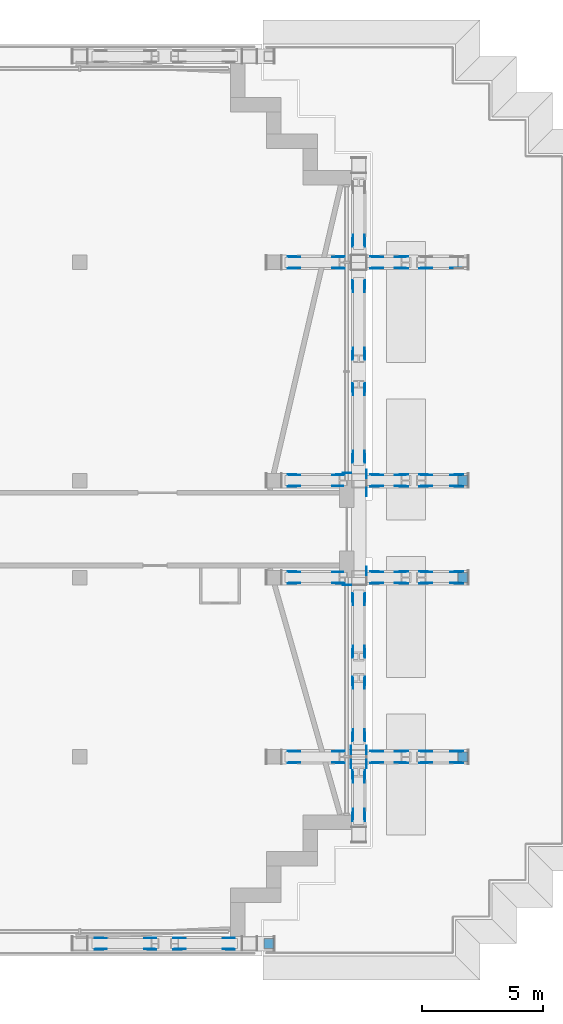
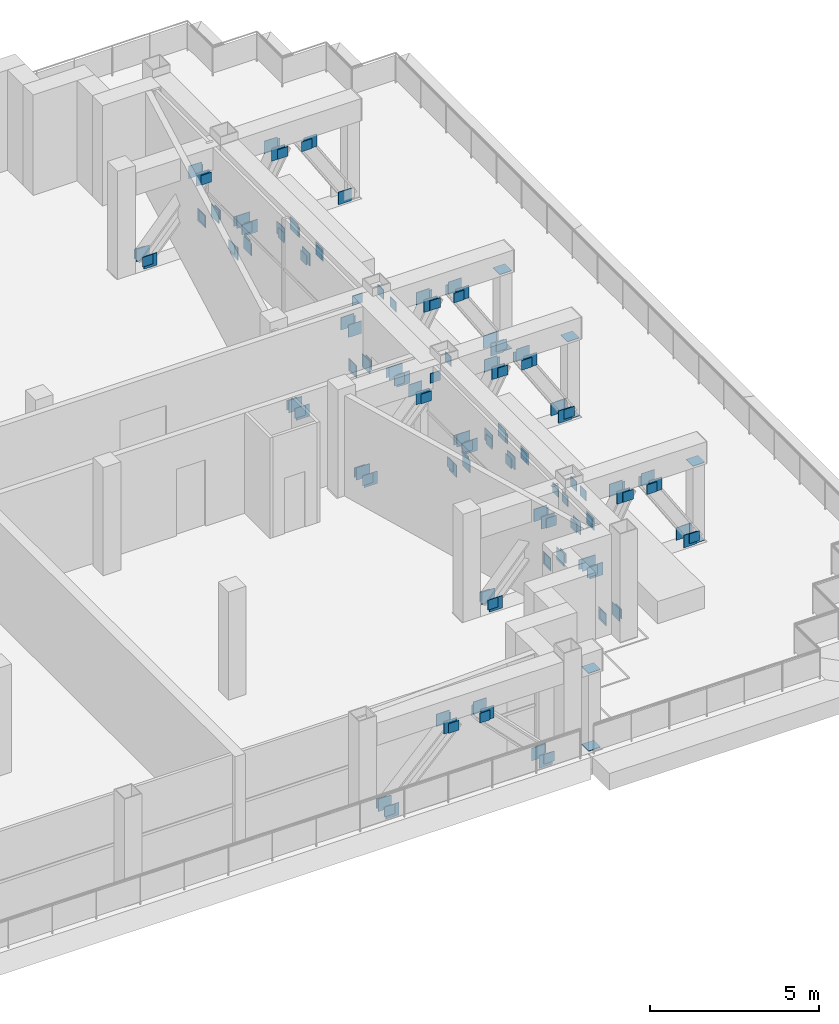
# One storey, part 15 of 21: 166 discrete accessories.
"""IFC4 building model written with IfcOpenShell, lengths in metres."""

from ifc_helpers import new_model, si_unit, direction, frame, origin, origin_2d, place, context, subcontext, project, spatial, rectangle, extrude, element, save


model = new_model("IFC4")

# Units and contexts
model_context = context("Model", 3, precision=1e-05, world=origin(), true_north=direction((0.0, 1.0)))
body_context = subcontext(model_context, "Body", "Model", "MODEL_VIEW")
ifc_project = project(units=[si_unit("LENGTHUNIT", "METRE"), si_unit("AREAUNIT", "SQUARE_METRE"), si_unit("VOLUMEUNIT", "CUBIC_METRE"), si_unit("PLANEANGLEUNIT", "RADIAN"), si_unit("MASSUNIT", "GRAM", prefix="KILO")], contexts=[model_context])

# Site, building, storey
site_placement = place(None, origin())
site = spatial("IfcSite", under=ifc_project, at=site_placement, CompositionType="ELEMENT")
building_placement = place(site_placement, origin())
building = spatial("IfcBuilding", under=site, at=building_placement, Name="Vidyagriha Tower", CompositionType="ELEMENT")
storey_placement = place(building_placement, frame((0.0, 0.0, 203.699951171875)))
storey = spatial("IfcBuildingStorey", under=building, at=storey_placement, Name="L52", CompositionType="ELEMENT", Elevation=203.699951171875)

# Discrete accessories
for number, where, name in (
    (1, (18.88330078125, -16.878173828125, 0.0), "Truss gusset plate ASTM A572 Grade 50 20mm"),
    (2, (18.88330078125, -17.32177734375, 0.0), "Truss gusset plate ASTM A572 Grade 50 20mm"),
    (3, (20.86669921875, -16.878173828125, 2.3701171875), "Truss gusset plate ASTM A572 Grade 50 20mm"),
    (4, (20.86669921875, -17.32177734375, 2.3701171875), "Truss gusset plate ASTM A572 Grade 50 20mm"),
    (5, (22.13330078125, -16.878173828125, 2.3701171875), "Truss gusset plate ASTM A572 Grade 50 20mm"),
    (6, (22.13330078125, -17.32177734375, 2.3701171875), "Truss gusset plate ASTM A572 Grade 50 20mm"),
    (7, (24.11669921875, -16.878173828125, 0.0), "Truss gusset plate ASTM A572 Grade 50 20mm"),
    (8, (24.11669921875, -17.32177734375, 0.0), "Truss gusset plate ASTM A572 Grade 50 20mm"),
    (9, (26.86181640625, -9.17822265625, 0.0), "Truss gusset plate ASTM A572 Grade 50 20mm"),
    (10, (26.86181640625, -9.621826171875, 0.0), "Truss gusset plate ASTM A572 Grade 50 20mm"),
    (11, (28.63818359375, -9.17822265625, 2.3701171875), "Truss gusset plate ASTM A572 Grade 50 20mm"),
    (12, (28.63818359375, -9.621826171875, 2.3701171875), "Truss gusset plate ASTM A572 Grade 50 20mm"),
    (13, (30.283203125, -9.17822265625, 0.0), "Truss gusset plate ASTM A572 Grade 50 20mm"),
    (14, (30.283203125, -9.621826171875, 0.0), "Truss gusset plate ASTM A572 Grade 50 20mm"),
    (15, (31.216796875, -9.17822265625, 2.3701171875), "Truss gusset plate ASTM A572 Grade 50 20mm"),
    (16, (31.216796875, -9.621826171875, 2.3701171875), "Truss gusset plate ASTM A572 Grade 50 20mm"),
    (17, (32.3046875, -9.17822265625, 2.3701171875), "Truss gusset plate ASTM A572 Grade 50 20mm"),
    (18, (32.3046875, -9.621826171875, 2.3701171875), "Truss gusset plate ASTM A572 Grade 50 20mm"),
    (19, (33.4951171875, -9.17822265625, 0.0), "Truss gusset plate ASTM A572 Grade 50 20mm"),
    (20, (33.4951171875, -9.621826171875, 0.0), "Truss gusset plate ASTM A572 Grade 50 20mm"),
    (21, (26.86181640625, -1.778076171875, 0.0), "Truss gusset plate ASTM A572 Grade 50 20mm"),
    (22, (26.86181640625, -2.221923828125, 0.0), "Truss gusset plate ASTM A572 Grade 50 20mm"),
    (23, (28.63818359375, -1.778076171875, 2.3701171875), "Truss gusset plate ASTM A572 Grade 50 20mm"),
    (24, (28.63818359375, -2.221923828125, 2.3701171875), "Truss gusset plate ASTM A572 Grade 50 20mm"),
    (25, (30.283203125, -1.778076171875, 0.0), "Truss gusset plate ASTM A572 Grade 50 20mm"),
    (26, (30.283203125, -2.221923828125, 0.0), "Truss gusset plate ASTM A572 Grade 50 20mm"),
    (27, (31.216796875, -1.778076171875, 2.3701171875), "Truss gusset plate ASTM A572 Grade 50 20mm"),
    (28, (31.216796875, -2.221923828125, 2.3701171875), "Truss gusset plate ASTM A572 Grade 50 20mm"),
    (29, (32.3046875, -1.778076171875, 2.3701171875), "Truss gusset plate ASTM A572 Grade 50 20mm"),
    (30, (32.3046875, -2.221923828125, 2.3701171875), "Truss gusset plate ASTM A572 Grade 50 20mm"),
    (31, (33.4951171875, -1.778076171875, 0.0), "Truss gusset plate ASTM A572 Grade 50 20mm"),
    (32, (33.4951171875, -2.221923828125, 0.0), "Truss gusset plate ASTM A572 Grade 50 20mm"),
    (33, (26.86181640625, 2.221923828125, 0.0), "Truss gusset plate ASTM A572 Grade 50 20mm"),
    (34, (26.86181640625, 1.778076171875, 0.0), "Truss gusset plate ASTM A572 Grade 50 20mm"),
    (35, (28.63818359375, 2.221923828125, 2.3701171875), "Truss gusset plate ASTM A572 Grade 50 20mm"),
    (36, (28.63818359375, 1.778076171875, 2.3701171875), "Truss gusset plate ASTM A572 Grade 50 20mm"),
    (37, (30.283203125, 2.221923828125, 0.0), "Truss gusset plate ASTM A572 Grade 50 20mm"),
    (38, (30.283203125, 1.778076171875, 0.0), "Truss gusset plate ASTM A572 Grade 50 20mm"),
    (39, (31.216796875, 2.221923828125, 2.3701171875), "Truss gusset plate ASTM A572 Grade 50 20mm"),
    (40, (31.216796875, 1.778076171875, 2.3701171875), "Truss gusset plate ASTM A572 Grade 50 20mm"),
    (41, (32.3046875, 2.221923828125, 2.3701171875), "Truss gusset plate ASTM A572 Grade 50 20mm"),
    (42, (32.3046875, 1.778076171875, 2.3701171875), "Truss gusset plate ASTM A572 Grade 50 20mm"),
    (43, (33.4951171875, 2.221923828125, 0.0), "Truss gusset plate ASTM A572 Grade 50 20mm"),
    (44, (33.4951171875, 1.778076171875, 0.0), "Truss gusset plate ASTM A572 Grade 50 20mm"),
    (45, (26.86181640625, 11.221923828125, 0.0), "Truss gusset plate ASTM A572 Grade 50 20mm"),
    (46, (26.86181640625, 10.778076171875, 0.0), "Truss gusset plate ASTM A572 Grade 50 20mm"),
    (47, (28.63818359375, 11.221923828125, 2.3701171875), "Truss gusset plate ASTM A572 Grade 50 20mm"),
    (48, (28.63818359375, 10.778076171875, 2.3701171875), "Truss gusset plate ASTM A572 Grade 50 20mm"),
    (49, (30.283203125, 11.221923828125, 0.0), "Truss gusset plate ASTM A572 Grade 50 20mm"),
    (50, (30.283203125, 10.778076171875, 0.0), "Truss gusset plate ASTM A572 Grade 50 20mm"),
    (51, (31.216796875, 11.221923828125, 2.3701171875), "Truss gusset plate ASTM A572 Grade 50 20mm"),
    (52, (31.216796875, 10.778076171875, 2.3701171875), "Truss gusset plate ASTM A572 Grade 50 20mm"),
    (53, (32.3046875, 10.778076171875, 2.3701171875), "Truss gusset plate ASTM A572 Grade 50 20mm"),
    (54, (33.4951171875, 10.778076171875, 0.0), "Truss gusset plate ASTM A572 Grade 50 20mm"),
):
    element("IfcDiscreteAccessory", number, at=place(storey_placement, frame(where)), inside=storey, Name=name, ObjectType="GUSSET PLATE", PredefinedType="USERDEFINED", context=body_context, shape_type="SweptSolid", body=[
        extrude(rectangle(XDim=0.449951171875, YDim=0.02001953125, at=origin_2d()), origin(), (0.0, 0.0, 1.0), 0.449951171875),
    ])
for number, where, z_axis, x_axis, name in (
    (55, (29.2705078125, -11.751953125, 0.0), (0.0, 0.0, 1.0), (0.0, 1.0, 0.0), "Truss gusset plate ASTM A572 Grade 50 20mm"),
    (56, (29.7294921875, -11.751953125, 0.0), (0.0, 0.0, 1.0), (0.0, 1.0, 0.0), "Truss gusset plate ASTM A572 Grade 50 20mm"),
    (57, (29.2705078125, -10.248046875, 2.3701171875), (0.0, 0.0, 1.0), (0.0, 1.0, 0.0), "Truss gusset plate ASTM A572 Grade 50 20mm"),
    (58, (29.7294921875, -10.248046875, 2.3701171875), (0.0, 0.0, 1.0), (0.0, 1.0, 0.0), "Truss gusset plate ASTM A572 Grade 50 20mm"),
    (59, (29.2705078125, -8.48095703125, 0.0), (0.0, 0.0, 1.0), (0.0, 1.0, 0.0), "Truss gusset plate ASTM A572 Grade 50 20mm"),
    (60, (29.7294921875, -8.48095703125, 0.0), (0.0, 0.0, 1.0), (0.0, 1.0, 0.0), "Truss gusset plate ASTM A572 Grade 50 20mm"),
    (61, (29.2705078125, -6.368896484375, 2.3701171875), (0.0, 0.0, 1.0), (0.0, 1.0, 0.0), "Truss gusset plate ASTM A572 Grade 50 20mm"),
    (62, (29.7294921875, -6.368896484375, 2.3701171875), (0.0, 0.0, 1.0), (0.0, 1.0, 0.0), "Truss gusset plate ASTM A572 Grade 50 20mm"),
    (63, (29.2705078125, -5.031005859375, 2.3701171875), (0.0, 0.0, 1.0), (0.0, 1.0, 0.0), "Truss gusset plate ASTM A572 Grade 50 20mm"),
    (64, (29.7294921875, -5.031005859375, 2.3701171875), (0.0, 0.0, 1.0), (0.0, 1.0, 0.0), "Truss gusset plate ASTM A572 Grade 50 20mm"),
    (65, (29.2705078125, -2.9189453125, 0.0), (0.0, 0.0, 1.0), (0.0, 1.0, 0.0), "Truss gusset plate ASTM A572 Grade 50 20mm"),
    (66, (29.7294921875, -2.9189453125, 0.0), (0.0, 0.0, 1.0), (0.0, 1.0, 0.0), "Truss gusset plate ASTM A572 Grade 50 20mm"),
    (67, (29.2705078125, 2.997802734375, 0.0), (0.0, 0.0, 1.0), (0.0, 1.0, 0.0), "Truss gusset plate ASTM A572 Grade 50 20mm"),
    (68, (29.7294921875, 2.997802734375, 0.0), (0.0, 0.0, 1.0), (0.0, 1.0, 0.0), "Truss gusset plate ASTM A572 Grade 50 20mm"),
    (69, (29.2705078125, 5.752197265625, 2.3701171875), (0.0, 0.0, 1.0), (0.0, 1.0, 0.0), "Truss gusset plate ASTM A572 Grade 50 20mm"),
    (70, (29.7294921875, 5.752197265625, 2.3701171875), (0.0, 0.0, 1.0), (0.0, 1.0, 0.0), "Truss gusset plate ASTM A572 Grade 50 20mm"),
    (71, (29.2705078125, 7.247802734375, 2.3701171875), (0.0, 0.0, 1.0), (0.0, 1.0, 0.0), "Truss gusset plate ASTM A572 Grade 50 20mm"),
    (72, (29.7294921875, 7.247802734375, 2.3701171875), (0.0, 0.0, 1.0), (0.0, 1.0, 0.0), "Truss gusset plate ASTM A572 Grade 50 20mm"),
    (73, (29.2705078125, 10.002197265625, 0.0), (0.0, 0.0, 1.0), (0.0, 1.0, 0.0), "Truss gusset plate ASTM A572 Grade 50 20mm"),
    (74, (29.7294921875, 10.002197265625, 0.0), (0.0, 0.0, 1.0), (0.0, 1.0, 0.0), "Truss gusset plate ASTM A572 Grade 50 20mm"),
    (75, (29.2705078125, 11.923828125, 0.0), (0.0, 0.0, 1.0), (0.0, 1.0, 0.0), "Truss gusset plate ASTM A572 Grade 50 20mm"),
    (76, (29.7294921875, 11.923828125, 0.0), (0.0, 0.0, 1.0), (0.0, 1.0, 0.0), "Truss gusset plate ASTM A572 Grade 50 20mm"),
):
    element("IfcDiscreteAccessory", number, at=place(storey_placement, frame(where, z_axis=z_axis, x_axis=x_axis)), inside=storey, Name=name, ObjectType="GUSSET PLATE", PredefinedType="USERDEFINED", context=body_context, shape_type="SweptSolid", body=[
        extrude(rectangle(XDim=0.449951171875, YDim=0.02001953125, at=origin_2d()), origin(), (0.0, 0.0, 1.0), 0.449951171875),
    ])
for number, where, z_axis, x_axis, name in (
    (77, (18.780517578125, -17.34228515625, 0.112548828125), (0.0, 0.0, 1.0), (-1.0, 0.0, 0.0), "End plate ASTM A572 Grade 50 20mm"),
    (78, (18.780517578125, -16.857666015625, 0.112548828125), (0.0, 0.0, 1.0), (-1.0, 0.0, 0.0), "End plate ASTM A572 Grade 50 20mm"),
):
    element("IfcDiscreteAccessory", number, at=place(storey_placement, frame(where, z_axis=z_axis, x_axis=x_axis)), inside=storey, Name=name, ObjectType="END PLATE", PredefinedType="USERDEFINED", context=body_context, shape_type="SweptSolid", body=[
        extrude(rectangle(XDim=0.35009765625, YDim=0.02001953125, at=origin_2d()), origin(), (0.0, 0.0, 1.0), 0.35009765625),
    ])
for number, where, name in (
    (79, (20.969482421875, -16.857666015625, 2.357421875), "End plate ASTM A572 Grade 50 20mm"),
    (80, (20.969482421875, -17.34228515625, 2.357421875), "End plate ASTM A572 Grade 50 20mm"),
):
    element("IfcDiscreteAccessory", number, at=place(storey_placement, frame(where)), inside=storey, Name=name, ObjectType="END PLATE", PredefinedType="USERDEFINED", context=body_context, shape_type="SweptSolid", body=[
        extrude(rectangle(XDim=0.35009765625, YDim=0.02001953125, at=origin_2d()), origin(), (0.0, 0.0, 1.0), 0.35009765625),
    ])
for number, where, z_axis, x_axis, name in (
    (81, (22.030517578125, -17.34228515625, 2.357421875), (0.0, 0.0, 1.0), (-1.0, 0.0, 0.0), "End plate ASTM A572 Grade 50 20mm"),
    (82, (22.030517578125, -16.857666015625, 2.357421875), (0.0, 0.0, 1.0), (-1.0, 0.0, 0.0), "End plate ASTM A572 Grade 50 20mm"),
):
    element("IfcDiscreteAccessory", number, at=place(storey_placement, frame(where, z_axis=z_axis, x_axis=x_axis)), inside=storey, Name=name, ObjectType="END PLATE", PredefinedType="USERDEFINED", context=body_context, shape_type="SweptSolid", body=[
        extrude(rectangle(XDim=0.35009765625, YDim=0.02001953125, at=origin_2d()), origin(), (0.0, 0.0, 1.0), 0.35009765625),
    ])
for number, where, name in (
    (83, (24.219482421875, -16.857666015625, 0.112548828125), "End plate ASTM A572 Grade 50 20mm"),
    (84, (24.219482421875, -17.34228515625, 0.112548828125), "End plate ASTM A572 Grade 50 20mm"),
):
    element("IfcDiscreteAccessory", number, at=place(storey_placement, frame(where)), inside=storey, Name=name, ObjectType="END PLATE", PredefinedType="USERDEFINED", context=body_context, shape_type="SweptSolid", body=[
        extrude(rectangle(XDim=0.35009765625, YDim=0.02001953125, at=origin_2d()), origin(), (0.0, 0.0, 1.0), 0.35009765625),
    ])
for number, where, name in (
    (85, (25.796875, -17.10009765625, -0.000244140625), "End plate ASTM A572 Grade 50 20mm"),
    (86, (25.796875, -17.10009765625, 2.80029296875), "End plate ASTM A572 Grade 50 20mm"),
):
    element("IfcDiscreteAccessory", number, at=place(storey_placement, frame(where)), inside=storey, Name=name, ObjectType="END PLATE", PredefinedType="USERDEFINED", context=body_context, shape_type="SweptSolid", body=[
        extrude(rectangle(XDim=0.406494140625, YDim=0.406494140625, at=origin_2d()), origin(), (0.0, 0.0, 1.0), 0.02001953125),
    ])
for number, where, z_axis, x_axis, name in (
    (87, (26.752685546875, -9.642333984375, 0.110107421875), (0.0, 0.0, 1.0), (-1.0, 0.0, 0.0), "End plate ASTM A572 Grade 50 20mm"),
    (88, (26.752685546875, -9.15771484375, 0.110107421875), (0.0, 0.0, 1.0), (-1.0, 0.0, 0.0), "End plate ASTM A572 Grade 50 20mm"),
):
    element("IfcDiscreteAccessory", number, at=place(storey_placement, frame(where, z_axis=z_axis, x_axis=x_axis)), inside=storey, Name=name, ObjectType="END PLATE", PredefinedType="USERDEFINED", context=body_context, shape_type="SweptSolid", body=[
        extrude(rectangle(XDim=0.35009765625, YDim=0.02001953125, at=origin_2d()), origin(), (0.0, 0.0, 1.0), 0.35009765625),
    ])
for number, where, name in (
    (89, (28.747314453125, -9.15771484375, 2.35986328125), "End plate ASTM A572 Grade 50 20mm"),
    (90, (28.747314453125, -9.642333984375, 2.35986328125), "End plate ASTM A572 Grade 50 20mm"),
):
    element("IfcDiscreteAccessory", number, at=place(storey_placement, frame(where)), inside=storey, Name=name, ObjectType="END PLATE", PredefinedType="USERDEFINED", context=body_context, shape_type="SweptSolid", body=[
        extrude(rectangle(XDim=0.35009765625, YDim=0.02001953125, at=origin_2d()), origin(), (0.0, 0.0, 1.0), 0.35009765625),
    ])
for number, where, z_axis, x_axis, name in (
    (91, (30.140380859375, -9.642333984375, 0.088623046875), (0.0, 0.0, 1.0), (-1.0, 0.0, 0.0), "End plate ASTM A572 Grade 50 20mm"),
    (92, (30.140380859375, -9.15771484375, 0.088623046875), (0.0, 0.0, 1.0), (-1.0, 0.0, 0.0), "End plate ASTM A572 Grade 50 20mm"),
):
    element("IfcDiscreteAccessory", number, at=place(storey_placement, frame(where, z_axis=z_axis, x_axis=x_axis)), inside=storey, Name=name, ObjectType="END PLATE", PredefinedType="USERDEFINED", context=body_context, shape_type="SweptSolid", body=[
        extrude(rectangle(XDim=0.35009765625, YDim=0.02001953125, at=origin_2d()), origin(), (0.0, 0.0, 1.0), 0.35009765625),
    ])
for number, where, name in (
    (93, (31.359619140625, -9.15771484375, 2.38134765625), "End plate ASTM A572 Grade 50 20mm"),
    (94, (31.359619140625, -9.642333984375, 2.38134765625), "End plate ASTM A572 Grade 50 20mm"),
):
    element("IfcDiscreteAccessory", number, at=place(storey_placement, frame(where)), inside=storey, Name=name, ObjectType="END PLATE", PredefinedType="USERDEFINED", context=body_context, shape_type="SweptSolid", body=[
        extrude(rectangle(XDim=0.35009765625, YDim=0.02001953125, at=origin_2d()), origin(), (0.0, 0.0, 1.0), 0.35009765625),
    ])
for number, where, z_axis, x_axis, name in (
    (95, (32.174072265625, -9.642333984375, 2.372314453125), (0.0, 0.0, 1.0), (-1.0, 0.0, 0.0), "End plate ASTM A572 Grade 50 20mm"),
    (96, (32.174072265625, -9.15771484375, 2.372314453125), (0.0, 0.0, 1.0), (-1.0, 0.0, 0.0), "End plate ASTM A572 Grade 50 20mm"),
):
    element("IfcDiscreteAccessory", number, at=place(storey_placement, frame(where, z_axis=z_axis, x_axis=x_axis)), inside=storey, Name=name, ObjectType="END PLATE", PredefinedType="USERDEFINED", context=body_context, shape_type="SweptSolid", body=[
        extrude(rectangle(XDim=0.35009765625, YDim=0.02001953125, at=origin_2d()), origin(), (0.0, 0.0, 1.0), 0.35009765625),
    ])
for number, where, name in (
    (97, (33.6259765625, -9.15771484375, 0.09765625), "End plate ASTM A572 Grade 50 20mm"),
    (98, (33.6259765625, -9.642333984375, 0.09765625), "End plate ASTM A572 Grade 50 20mm"),
):
    element("IfcDiscreteAccessory", number, at=place(storey_placement, frame(where)), inside=storey, Name=name, ObjectType="END PLATE", PredefinedType="USERDEFINED", context=body_context, shape_type="SweptSolid", body=[
        extrude(rectangle(XDim=0.35009765625, YDim=0.02001953125, at=origin_2d()), origin(), (0.0, 0.0, 1.0), 0.35009765625),
    ])
for number, where, name in (
    (99, (33.796875, -9.39990234375, -0.000244140625), "End plate ASTM A572 Grade 50 20mm"),
    (100, (33.796875, -9.39990234375, 2.80029296875), "End plate ASTM A572 Grade 50 20mm"),
):
    element("IfcDiscreteAccessory", number, at=place(storey_placement, frame(where)), inside=storey, Name=name, ObjectType="END PLATE", PredefinedType="USERDEFINED", context=body_context, shape_type="SweptSolid", body=[
        extrude(rectangle(XDim=0.406494140625, YDim=0.406494140625, at=origin_2d()), origin(), (0.0, 0.0, 1.0), 0.02001953125),
    ])
discrete_accessory_1_placement = place(storey_placement, frame((29.02490234375, -2.31005859375, 3.044921875)))
element("IfcDiscreteAccessory", 101, at=discrete_accessory_1_placement, inside=storey, Name="End plate ASTM A572 Grade 50 20mm", ObjectType="END PLATE", PredefinedType="USERDEFINED", context=body_context, shape_type="SweptSolid", body=[
    extrude(rectangle(XDim=0.35009765625, YDim=0.02001953125, at=origin_2d()), origin(), (0.0, 0.0, 1.0), 0.35009765625),
])
for number, where, z_axis, x_axis, name in (
    (102, (26.752685546875, -2.242431640625, 0.110107421875), (0.0, 0.0, 1.0), (-1.0, 0.0, 0.0), "End plate ASTM A572 Grade 50 20mm"),
    (103, (26.752685546875, -1.757568359375, 0.110107421875), (0.0, 0.0, 1.0), (-1.0, 0.0, 0.0), "End plate ASTM A572 Grade 50 20mm"),
):
    element("IfcDiscreteAccessory", number, at=place(storey_placement, frame(where, z_axis=z_axis, x_axis=x_axis)), inside=storey, Name=name, ObjectType="END PLATE", PredefinedType="USERDEFINED", context=body_context, shape_type="SweptSolid", body=[
        extrude(rectangle(XDim=0.35009765625, YDim=0.02001953125, at=origin_2d()), origin(), (0.0, 0.0, 1.0), 0.35009765625),
    ])
discrete_accessory_2_placement = place(storey_placement, frame((28.747314453125, -2.242431640625, 2.35986328125)))
element("IfcDiscreteAccessory", 104, at=discrete_accessory_2_placement, inside=storey, Name="End plate ASTM A572 Grade 50 20mm", ObjectType="END PLATE", PredefinedType="USERDEFINED", context=body_context, shape_type="SweptSolid", body=[
    extrude(rectangle(XDim=0.35009765625, YDim=0.02001953125, at=origin_2d()), origin(), (0.0, 0.0, 1.0), 0.35009765625),
])
for number, where, z_axis, x_axis, name in (
    (105, (30.140380859375, -2.242431640625, 0.088623046875), (0.0, 0.0, 1.0), (-1.0, 0.0, 0.0), "End plate ASTM A572 Grade 50 20mm"),
    (106, (30.140380859375, -1.757568359375, 0.088623046875), (0.0, 0.0, 1.0), (-1.0, 0.0, 0.0), "End plate ASTM A572 Grade 50 20mm"),
):
    element("IfcDiscreteAccessory", number, at=place(storey_placement, frame(where, z_axis=z_axis, x_axis=x_axis)), inside=storey, Name=name, ObjectType="END PLATE", PredefinedType="USERDEFINED", context=body_context, shape_type="SweptSolid", body=[
        extrude(rectangle(XDim=0.35009765625, YDim=0.02001953125, at=origin_2d()), origin(), (0.0, 0.0, 1.0), 0.35009765625),
    ])
for number, where, name in (
    (107, (31.359619140625, -1.757568359375, 2.38134765625), "End plate ASTM A572 Grade 50 20mm"),
    (108, (31.359619140625, -2.242431640625, 2.38134765625), "End plate ASTM A572 Grade 50 20mm"),
):
    element("IfcDiscreteAccessory", number, at=place(storey_placement, frame(where)), inside=storey, Name=name, ObjectType="END PLATE", PredefinedType="USERDEFINED", context=body_context, shape_type="SweptSolid", body=[
        extrude(rectangle(XDim=0.35009765625, YDim=0.02001953125, at=origin_2d()), origin(), (0.0, 0.0, 1.0), 0.35009765625),
    ])
for number, where, z_axis, x_axis, name in (
    (109, (32.174072265625, -2.242431640625, 2.372314453125), (0.0, 0.0, 1.0), (-1.0, 0.0, 0.0), "End plate ASTM A572 Grade 50 20mm"),
    (110, (32.174072265625, -1.757568359375, 2.372314453125), (0.0, 0.0, 1.0), (-1.0, 0.0, 0.0), "End plate ASTM A572 Grade 50 20mm"),
):
    element("IfcDiscreteAccessory", number, at=place(storey_placement, frame(where, z_axis=z_axis, x_axis=x_axis)), inside=storey, Name=name, ObjectType="END PLATE", PredefinedType="USERDEFINED", context=body_context, shape_type="SweptSolid", body=[
        extrude(rectangle(XDim=0.35009765625, YDim=0.02001953125, at=origin_2d()), origin(), (0.0, 0.0, 1.0), 0.35009765625),
    ])
for number, where, name in (
    (111, (33.6259765625, -1.757568359375, 0.09765625), "End plate ASTM A572 Grade 50 20mm"),
    (112, (33.6259765625, -2.242431640625, 0.09765625), "End plate ASTM A572 Grade 50 20mm"),
):
    element("IfcDiscreteAccessory", number, at=place(storey_placement, frame(where)), inside=storey, Name=name, ObjectType="END PLATE", PredefinedType="USERDEFINED", context=body_context, shape_type="SweptSolid", body=[
        extrude(rectangle(XDim=0.35009765625, YDim=0.02001953125, at=origin_2d()), origin(), (0.0, 0.0, 1.0), 0.35009765625),
    ])
for number, where, name in (
    (113, (33.796875, -2.0, -0.000244140625), "End plate ASTM A572 Grade 50 20mm"),
    (114, (33.796875, -2.0, 2.80029296875), "End plate ASTM A572 Grade 50 20mm"),
):
    element("IfcDiscreteAccessory", number, at=place(storey_placement, frame(where)), inside=storey, Name=name, ObjectType="END PLATE", PredefinedType="USERDEFINED", context=body_context, shape_type="SweptSolid", body=[
        extrude(rectangle(XDim=0.406494140625, YDim=0.406494140625, at=origin_2d()), origin(), (0.0, 0.0, 1.0), 0.02001953125),
    ])
discrete_accessory_3_placement = place(storey_placement, frame((29.02490234375, 2.31005859375, 3.044921875)))
element("IfcDiscreteAccessory", 115, at=discrete_accessory_3_placement, inside=storey, Name="End plate ASTM A572 Grade 50 20mm", ObjectType="END PLATE", PredefinedType="USERDEFINED", context=body_context, shape_type="SweptSolid", body=[
    extrude(rectangle(XDim=0.35009765625, YDim=0.02001953125, at=origin_2d()), origin(), (0.0, 0.0, 1.0), 0.35009765625),
])
for number, where, z_axis, x_axis, name in (
    (116, (26.752685546875, 1.757568359375, 0.110107421875), (0.0, 0.0, 1.0), (-1.0, 0.0, 0.0), "End plate ASTM A572 Grade 50 20mm"),
    (117, (26.752685546875, 2.242431640625, 0.110107421875), (0.0, 0.0, 1.0), (-1.0, 0.0, 0.0), "End plate ASTM A572 Grade 50 20mm"),
):
    element("IfcDiscreteAccessory", number, at=place(storey_placement, frame(where, z_axis=z_axis, x_axis=x_axis)), inside=storey, Name=name, ObjectType="END PLATE", PredefinedType="USERDEFINED", context=body_context, shape_type="SweptSolid", body=[
        extrude(rectangle(XDim=0.35009765625, YDim=0.02001953125, at=origin_2d()), origin(), (0.0, 0.0, 1.0), 0.35009765625),
    ])
discrete_accessory_4_placement = place(storey_placement, frame((28.747314453125, 2.242431640625, 2.35986328125)))
element("IfcDiscreteAccessory", 118, at=discrete_accessory_4_placement, inside=storey, Name="End plate ASTM A572 Grade 50 20mm", ObjectType="END PLATE", PredefinedType="USERDEFINED", context=body_context, shape_type="SweptSolid", body=[
    extrude(rectangle(XDim=0.35009765625, YDim=0.02001953125, at=origin_2d()), origin(), (0.0, 0.0, 1.0), 0.35009765625),
])
for number, where, z_axis, x_axis, name in (
    (119, (30.140380859375, 1.757568359375, 0.088623046875), (0.0, 0.0, 1.0), (-1.0, 0.0, 0.0), "End plate ASTM A572 Grade 50 20mm"),
    (120, (30.140380859375, 2.242431640625, 0.088623046875), (0.0, 0.0, 1.0), (-1.0, 0.0, 0.0), "End plate ASTM A572 Grade 50 20mm"),
):
    element("IfcDiscreteAccessory", number, at=place(storey_placement, frame(where, z_axis=z_axis, x_axis=x_axis)), inside=storey, Name=name, ObjectType="END PLATE", PredefinedType="USERDEFINED", context=body_context, shape_type="SweptSolid", body=[
        extrude(rectangle(XDim=0.35009765625, YDim=0.02001953125, at=origin_2d()), origin(), (0.0, 0.0, 1.0), 0.35009765625),
    ])
for number, where, name in (
    (121, (31.359619140625, 2.242431640625, 2.38134765625), "End plate ASTM A572 Grade 50 20mm"),
    (122, (31.359619140625, 1.757568359375, 2.38134765625), "End plate ASTM A572 Grade 50 20mm"),
):
    element("IfcDiscreteAccessory", number, at=place(storey_placement, frame(where)), inside=storey, Name=name, ObjectType="END PLATE", PredefinedType="USERDEFINED", context=body_context, shape_type="SweptSolid", body=[
        extrude(rectangle(XDim=0.35009765625, YDim=0.02001953125, at=origin_2d()), origin(), (0.0, 0.0, 1.0), 0.35009765625),
    ])
for number, where, z_axis, x_axis, name in (
    (123, (32.174072265625, 1.757568359375, 2.372314453125), (0.0, 0.0, 1.0), (-1.0, 0.0, 0.0), "End plate ASTM A572 Grade 50 20mm"),
    (124, (32.174072265625, 2.242431640625, 2.372314453125), (0.0, 0.0, 1.0), (-1.0, 0.0, 0.0), "End plate ASTM A572 Grade 50 20mm"),
):
    element("IfcDiscreteAccessory", number, at=place(storey_placement, frame(where, z_axis=z_axis, x_axis=x_axis)), inside=storey, Name=name, ObjectType="END PLATE", PredefinedType="USERDEFINED", context=body_context, shape_type="SweptSolid", body=[
        extrude(rectangle(XDim=0.35009765625, YDim=0.02001953125, at=origin_2d()), origin(), (0.0, 0.0, 1.0), 0.35009765625),
    ])
for number, where, name in (
    (125, (33.6259765625, 2.242431640625, 0.09765625), "End plate ASTM A572 Grade 50 20mm"),
    (126, (33.6259765625, 1.757568359375, 0.09765625), "End plate ASTM A572 Grade 50 20mm"),
):
    element("IfcDiscreteAccessory", number, at=place(storey_placement, frame(where)), inside=storey, Name=name, ObjectType="END PLATE", PredefinedType="USERDEFINED", context=body_context, shape_type="SweptSolid", body=[
        extrude(rectangle(XDim=0.35009765625, YDim=0.02001953125, at=origin_2d()), origin(), (0.0, 0.0, 1.0), 0.35009765625),
    ])
for number, where, name in (
    (127, (33.796875, 2.0, -0.000244140625), "End plate ASTM A572 Grade 50 20mm"),
    (128, (33.796875, 2.0, 2.80029296875), "End plate ASTM A572 Grade 50 20mm"),
):
    element("IfcDiscreteAccessory", number, at=place(storey_placement, frame(where)), inside=storey, Name=name, ObjectType="END PLATE", PredefinedType="USERDEFINED", context=body_context, shape_type="SweptSolid", body=[
        extrude(rectangle(XDim=0.406494140625, YDim=0.406494140625, at=origin_2d()), origin(), (0.0, 0.0, 1.0), 0.02001953125),
    ])
for number, where, z_axis, x_axis, name in (
    (129, (26.752685546875, 10.757568359375, 0.110107421875), (0.0, 0.0, 1.0), (-1.0, 0.0, 0.0), "End plate ASTM A572 Grade 50 20mm"),
    (130, (26.752685546875, 11.242431640625, 0.110107421875), (0.0, 0.0, 1.0), (-1.0, 0.0, 0.0), "End plate ASTM A572 Grade 50 20mm"),
):
    element("IfcDiscreteAccessory", number, at=place(storey_placement, frame(where, z_axis=z_axis, x_axis=x_axis)), inside=storey, Name=name, ObjectType="END PLATE", PredefinedType="USERDEFINED", context=body_context, shape_type="SweptSolid", body=[
        extrude(rectangle(XDim=0.35009765625, YDim=0.02001953125, at=origin_2d()), origin(), (0.0, 0.0, 1.0), 0.35009765625),
    ])
for number, where, name in (
    (131, (28.747314453125, 11.242431640625, 2.35986328125), "End plate ASTM A572 Grade 50 20mm"),
    (132, (28.747314453125, 10.757568359375, 2.35986328125), "End plate ASTM A572 Grade 50 20mm"),
):
    element("IfcDiscreteAccessory", number, at=place(storey_placement, frame(where)), inside=storey, Name=name, ObjectType="END PLATE", PredefinedType="USERDEFINED", context=body_context, shape_type="SweptSolid", body=[
        extrude(rectangle(XDim=0.35009765625, YDim=0.02001953125, at=origin_2d()), origin(), (0.0, 0.0, 1.0), 0.35009765625),
    ])
for number, where, z_axis, x_axis, name in (
    (133, (30.140380859375, 10.757568359375, 0.088623046875), (0.0, 0.0, 1.0), (-1.0, 0.0, 0.0), "End plate ASTM A572 Grade 50 20mm"),
    (134, (30.140380859375, 11.242431640625, 0.088623046875), (0.0, 0.0, 1.0), (-1.0, 0.0, 0.0), "End plate ASTM A572 Grade 50 20mm"),
):
    element("IfcDiscreteAccessory", number, at=place(storey_placement, frame(where, z_axis=z_axis, x_axis=x_axis)), inside=storey, Name=name, ObjectType="END PLATE", PredefinedType="USERDEFINED", context=body_context, shape_type="SweptSolid", body=[
        extrude(rectangle(XDim=0.35009765625, YDim=0.02001953125, at=origin_2d()), origin(), (0.0, 0.0, 1.0), 0.35009765625),
    ])
for number, where, name in (
    (135, (31.359619140625, 11.242431640625, 2.38134765625), "End plate ASTM A572 Grade 50 20mm"),
    (136, (31.359619140625, 10.757568359375, 2.38134765625), "End plate ASTM A572 Grade 50 20mm"),
):
    element("IfcDiscreteAccessory", number, at=place(storey_placement, frame(where)), inside=storey, Name=name, ObjectType="END PLATE", PredefinedType="USERDEFINED", context=body_context, shape_type="SweptSolid", body=[
        extrude(rectangle(XDim=0.35009765625, YDim=0.02001953125, at=origin_2d()), origin(), (0.0, 0.0, 1.0), 0.35009765625),
    ])
for number, where, z_axis, x_axis, name in (
    (137, (32.174072265625, 10.757568359375, 2.372314453125), (0.0, 0.0, 1.0), (-1.0, 0.0, 0.0), "End plate ASTM A572 Grade 50 20mm"),
    (138, (29.18994140625, -9.68115234375, 3.044921875), (0.0, 0.0, 1.0), (0.0, 1.0, 0.0), "End plate ASTM A572 Grade 50 20mm"),
    (139, (29.81005859375, -9.68115234375, 3.044921875), (0.0, 0.0, 1.0), (0.0, 1.0, 0.0), "End plate ASTM A572 Grade 50 20mm"),
    (140, (29.7666015625, -11.869384765625, 0.120849609375), (0.0, 0.0, 1.0), (0.0, -1.0, 0.0), "End plate ASTM A572 Grade 50 20mm"),
    (141, (29.2333984375, -11.869384765625, 0.120849609375), (0.0, 0.0, 1.0), (0.0, -1.0, 0.0), "End plate ASTM A572 Grade 50 20mm"),
    (142, (29.2333984375, -10.130615234375, 2.34912109375), (0.0, 0.0, 1.0), (0.0, 1.0, 0.0), "End plate ASTM A572 Grade 50 20mm"),
    (143, (29.7666015625, -10.130615234375, 2.34912109375), (0.0, 0.0, 1.0), (0.0, 1.0, 0.0), "End plate ASTM A572 Grade 50 20mm"),
    (144, (29.81005859375, -9.1201171875, 3.044921875), (0.0, 0.0, 1.0), (0.0, -1.0, 0.0), "End plate ASTM A572 Grade 50 20mm"),
    (145, (29.18994140625, -9.1201171875, 3.044921875), (0.0, 0.0, 1.0), (0.0, -1.0, 0.0), "End plate ASTM A572 Grade 50 20mm"),
    (146, (29.7666015625, -8.57958984375, 0.13134765625), (0.0, 0.0, 1.0), (0.0, -1.0, 0.0), "End plate ASTM A572 Grade 50 20mm"),
    (147, (29.2333984375, -8.57958984375, 0.13134765625), (0.0, 0.0, 1.0), (0.0, -1.0, 0.0), "End plate ASTM A572 Grade 50 20mm"),
    (148, (29.2333984375, -6.2705078125, 2.338623046875), (0.0, 0.0, 1.0), (0.0, 1.0, 0.0), "End plate ASTM A572 Grade 50 20mm"),
    (149, (29.7666015625, -6.2705078125, 2.338623046875), (0.0, 0.0, 1.0), (0.0, 1.0, 0.0), "End plate ASTM A572 Grade 50 20mm"),
    (150, (29.7666015625, -5.12939453125, 2.338623046875), (0.0, 0.0, 1.0), (0.0, -1.0, 0.0), "End plate ASTM A572 Grade 50 20mm"),
    (151, (29.2333984375, -5.12939453125, 2.338623046875), (0.0, 0.0, 1.0), (0.0, -1.0, 0.0), "End plate ASTM A572 Grade 50 20mm"),
    (152, (29.2333984375, -2.820556640625, 0.13134765625), (0.0, 0.0, 1.0), (0.0, 1.0, 0.0), "End plate ASTM A572 Grade 50 20mm"),
    (153, (29.7666015625, -2.820556640625, 0.13134765625), (0.0, 0.0, 1.0), (0.0, 1.0, 0.0), "End plate ASTM A572 Grade 50 20mm"),
    (154, (29.81005859375, -1.719970703125, 3.044921875), (0.0, 0.0, 1.0), (0.0, -1.0, 0.0), "End plate ASTM A572 Grade 50 20mm"),
    (155, (29.81005859375, 1.534423828125, 3.044921875), (0.0, 0.0, 1.0), (0.0, 1.0, 0.0), "End plate ASTM A572 Grade 50 20mm"),
    (156, (29.81005859375, 2.280029296875, 3.044921875), (0.0, 0.0, 1.0), (0.0, -1.0, 0.0), "End plate ASTM A572 Grade 50 20mm"),
    (157, (29.7666015625, 2.91259765625, 0.13525390625), (0.0, 0.0, 1.0), (0.0, -1.0, 0.0), "End plate ASTM A572 Grade 50 20mm"),
    (158, (29.2333984375, 2.91259765625, 0.13525390625), (0.0, 0.0, 1.0), (0.0, -1.0, 0.0), "End plate ASTM A572 Grade 50 20mm"),
    (159, (29.2333984375, 5.83740234375, 2.334716796875), (0.0, 0.0, 1.0), (0.0, 1.0, 0.0), "End plate ASTM A572 Grade 50 20mm"),
    (160, (29.7666015625, 5.83740234375, 2.334716796875), (0.0, 0.0, 1.0), (0.0, 1.0, 0.0), "End plate ASTM A572 Grade 50 20mm"),
    (161, (29.7666015625, 7.16259765625, 2.334716796875), (0.0, 0.0, 1.0), (0.0, -1.0, 0.0), "End plate ASTM A572 Grade 50 20mm"),
    (162, (29.2333984375, 7.16259765625, 2.334716796875), (0.0, 0.0, 1.0), (0.0, -1.0, 0.0), "End plate ASTM A572 Grade 50 20mm"),
    (163, (29.2333984375, 10.08740234375, 0.13525390625), (0.0, 0.0, 1.0), (0.0, 1.0, 0.0), "End plate ASTM A572 Grade 50 20mm"),
    (164, (29.7666015625, 10.08740234375, 0.13525390625), (0.0, 0.0, 1.0), (0.0, 1.0, 0.0), "End plate ASTM A572 Grade 50 20mm"),
    (165, (29.7666015625, 11.826416015625, 0.1318359375), (0.0, 0.0, 1.0), (0.0, -1.0, 0.0), "End plate ASTM A572 Grade 50 20mm"),
    (166, (29.2333984375, 11.826416015625, 0.1318359375), (0.0, 0.0, 1.0), (0.0, -1.0, 0.0), "End plate ASTM A572 Grade 50 20mm"),
):
    element("IfcDiscreteAccessory", number, at=place(storey_placement, frame(where, z_axis=z_axis, x_axis=x_axis)), inside=storey, Name=name, ObjectType="END PLATE", PredefinedType="USERDEFINED", context=body_context, shape_type="SweptSolid", body=[
        extrude(rectangle(XDim=0.35009765625, YDim=0.02001953125, at=origin_2d()), origin(), (0.0, 0.0, 1.0), 0.35009765625),
    ])

save(model, "model.ifc")
